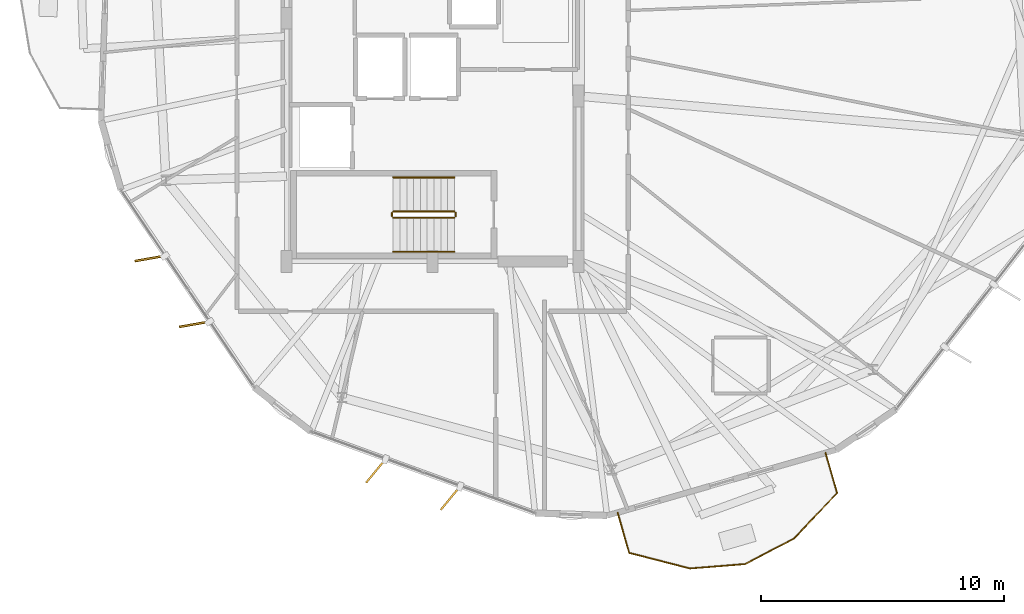
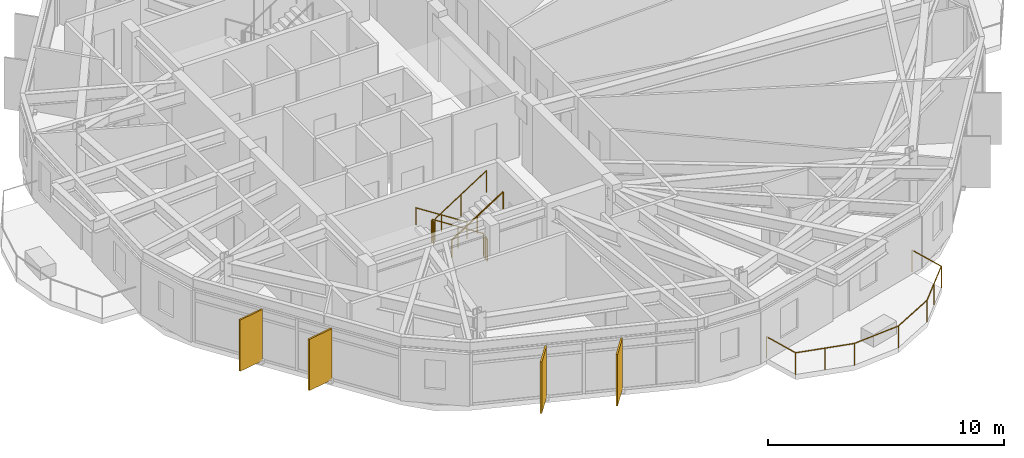
# One storey, part 28 of 30: 7 railings, 4 shading devices.
"""IFC4 building model written with IfcOpenShell, lengths in metres."""

from ifc_helpers import new_model, si_unit, direction, frame, origin, origin_2d, place, context, subcontext, project, spatial, rectangle, circle, extrude, material, layer, layer_set, type_object, element, save


model = new_model("IFC4")

# Units and contexts
model_context = context("Model", 3, precision=1e-05, world=origin(), true_north=direction((0.0, 1.0)))
body_context = subcontext(model_context, "Body", "Model", "MODEL_VIEW")
ifc_project = project(units=[si_unit("LENGTHUNIT", "METRE"), si_unit("AREAUNIT", "SQUARE_METRE"), si_unit("VOLUMEUNIT", "CUBIC_METRE"), si_unit("PLANEANGLEUNIT", "RADIAN"), si_unit("MASSUNIT", "GRAM", prefix="KILO")], contexts=[model_context])

# Site, building, storey
site_placement = place(None, origin())
site = spatial("IfcSite", under=ifc_project, at=site_placement, CompositionType="ELEMENT")
building_placement = place(site_placement, origin())
building = spatial("IfcBuilding", under=site, at=building_placement, Name="Soratama Intermodal Tower", CompositionType="ELEMENT")
storey_placement = place(building_placement, frame((0.0, 0.0, 223.0)))
storey = spatial("IfcBuildingStorey", under=building, at=storey_placement, Name="L56", CompositionType="ELEMENT", Elevation=223.0)

# Railings
ifc_material_1 = material(Name="Laminated glass and stainless steel balustrade", Category="steel")
railing_type_1 = type_object("IfcRailingType", Name="RL-BAL-1150", PredefinedType="BALUSTRADE", material=ifc_material_1)
railing_1_placement = place(storey_placement, frame((54.76171875, 7.12255859375, 0.0)))
element("IfcRailing", 1, at=railing_1_placement, inside=storey, type_object=railing_type_1, Name="L56 Balcony Balustrade 3", PredefinedType="BALUSTRADE", context=body_context, shape_type="SweptSolid", body=[
    extrude(circle(Radius=0.02392578125, at=origin_2d()), frame((0.0, 0.0, 1.1259765625), z_axis=(0.275827158192, -0.961207250703, 0.0), x_axis=(0.961207250703, 0.275827158192, 0.0)), (0.0, 0.0, 1.0), 1.7197265625),
    extrude(circle(Radius=0.02392578125, at=origin_2d()), frame((0.474365234375, -1.653076171875, 1.1259765625), z_axis=(-0.687894128267, -0.725811041729, 0.0), x_axis=(0.725811041729, -0.687894128267, 0.0)), (0.0, 0.0, 1.0), 2.58203125),
    extrude(circle(Radius=0.02392578125, at=origin_2d()), frame((-1.3017578125, -3.527099609375, 1.1259765625), z_axis=(-0.887568833078, -0.460675120393, 0.0), x_axis=(0.460675120393, -0.887568833078, 0.0)), (0.0, 0.0, 1.0), 2.269287109375),
    extrude(circle(Radius=0.02392578125, at=origin_2d()), frame((-3.31591796875, -4.572509765625, 1.1259765625), z_axis=(-0.996774096585, -0.080258335246, 0.0), x_axis=(0.080258335246, -0.996774096585, 0.0)), (0.0, 0.0, 1.0), 2.269287109375),
    extrude(circle(Radius=0.02392578125, at=origin_2d()), frame((-5.577880859375, -4.754638671875, 1.1259765625), z_axis=(-0.968193134069, 0.250204027029, 0.0), x_axis=(-0.250204027029, -0.968193134069, 0.0)), (0.0, 0.0, 1.0), 2.581787109375),
    extrude(circle(Radius=0.02392578125, at=origin_2d()), frame((-8.07763671875, -4.108642578125, 1.1259765625), z_axis=(-0.275958309549, 0.961169605944, 0.0), x_axis=(-0.961169605944, -0.275958309549, 0.0)), (0.0, 0.0, 1.0), 1.719970703125),
    extrude(circle(Radius=0.02099609375, at=origin_2d()), origin(), (0.0, 0.0, 1.0), 1.101806640625),
    extrude(circle(Radius=0.02099609375, at=origin_2d()), frame((0.474365234375, -1.653076171875, 0.0)), (0.0, 0.0, 1.0), 1.101806640625),
    extrude(circle(Radius=0.02099609375, at=origin_2d()), frame((-0.41357421875, -2.590087890625, 0.0)), (0.0, 0.0, 1.0), 1.101806640625),
    extrude(circle(Radius=0.02099609375, at=origin_2d()), frame((-1.3017578125, -3.527099609375, 0.0)), (0.0, 0.0, 1.0), 1.101806640625),
    extrude(circle(Radius=0.02099609375, at=origin_2d()), frame((-3.31591796875, -4.572509765625, 0.0)), (0.0, 0.0, 1.0), 1.101806640625),
    extrude(circle(Radius=0.02099609375, at=origin_2d()), frame((-5.577880859375, -4.754638671875, 0.0)), (0.0, 0.0, 1.0), 1.101806640625),
    extrude(circle(Radius=0.02099609375, at=origin_2d()), frame((-6.82763671875, -4.431640625, 0.0)), (0.0, 0.0, 1.0), 1.101806640625),
    extrude(circle(Radius=0.02099609375, at=origin_2d()), frame((-8.07763671875, -4.108642578125, 0.0)), (0.0, 0.0, 1.0), 1.101806640625),
    extrude(circle(Radius=0.02099609375, at=origin_2d()), frame((-8.55224609375, -2.45556640625, 0.0)), (0.0, 0.0, 1.0), 1.101806640625),
])
ifc_material_2 = material(Name="Painted steel stair guardrail", Category="steel")
railing_type_2 = type_object("IfcRailingType", Name="RL-STAIR-GUARD", PredefinedType="GUARDRAIL", material=ifc_material_2)
railing_2_placement = place(storey_placement, frame((39.5, 17.050048828125, 0.179931640625)))
element("IfcRailing", 2, at=railing_2_placement, inside=storey, type_object=railing_type_2, Name="L56 ST-1 stair guard 1", PredefinedType="GUARDRAIL", context=body_context, shape_type="SweptSolid", body=[
    extrude(circle(Radius=0.02392578125, at=origin_2d()), frame((0.0, 0.0, 1.1259765625), z_axis=(-0.841162588446, 0.0, 0.540782303519), x_axis=(0.0, -1.0, 0.0)), (0.0, 0.0, 1.0), 2.995849609375),
    extrude(circle(Radius=0.02099609375, at=origin_2d()), origin(), (0.0, 0.0, 1.0), 1.101806640625),
    extrude(circle(Radius=0.02099609375, at=origin_2d()), frame((-1.260009765625, 0.0, 0.81005859375)), (0.0, 0.0, 1.0), 1.101806640625),
    extrude(circle(Radius=0.02099609375, at=origin_2d()), frame((-2.52001953125, 0.0, 1.6201171875)), (0.0, 0.0, 1.0), 1.101806640625),
])
railing_3_placement = place(storey_placement, frame((36.929931640625, 17.0, 1.800048828125)))
element("IfcRailing", 3, at=railing_3_placement, inside=storey, type_object=railing_type_2, Name="L56 ST-1 stair guard 2", PredefinedType="GUARDRAIL", context=body_context, shape_type="SweptSolid", body=[
    extrude(circle(Radius=0.02392578125, at=origin_2d()), frame((0.0, 0.0, 1.1259765625), z_axis=(0.0, -1.0, 0.0), x_axis=(1.0, 0.0, 0.0)), (0.0, 0.0, 1.0), 0.14990234375),
    extrude(circle(Radius=0.02099609375, at=origin_2d()), origin(), (0.0, 0.0, 1.0), 1.101806640625),
    extrude(circle(Radius=0.02099609375, at=origin_2d()), frame((0.0, -0.14990234375, 0.0)), (0.0, 0.0, 1.0), 1.101806640625),
])
railing_4_placement = place(storey_placement, frame((36.97998046875, 16.800048828125, 1.97998046875)))
element("IfcRailing", 4, at=railing_4_placement, inside=storey, type_object=railing_type_2, Name="L56 ST-1 stair guard 3", PredefinedType="GUARDRAIL", context=body_context, shape_type="SweptSolid", body=[
    extrude(circle(Radius=0.02392578125, at=origin_2d()), frame((0.0, 0.0, 1.1259765625), z_axis=(0.841162588446, 0.0, 0.540782303519), x_axis=(0.0, 1.0, 0.0)), (0.0, 0.0, 1.0), 2.995849609375),
    extrude(circle(Radius=0.02099609375, at=origin_2d()), origin(), (0.0, 0.0, 1.0), 1.101806640625),
    extrude(circle(Radius=0.02099609375, at=origin_2d()), frame((1.260009765625, 0.0, 0.81005859375)), (0.0, 0.0, 1.0), 1.101806640625),
    extrude(circle(Radius=0.02099609375, at=origin_2d()), frame((2.52001953125, 0.0, 1.6201171875)), (0.0, 0.0, 1.0), 1.101806640625),
])
railing_5_placement = place(storey_placement, frame((39.550048828125, 17.0, 0.0)))
element("IfcRailing", 5, at=railing_5_placement, inside=storey, type_object=railing_type_2, Name="L56 ST-1 stair guard 4", PredefinedType="GUARDRAIL", context=body_context, shape_type="SweptSolid", body=[
    extrude(circle(Radius=0.02392578125, at=origin_2d()), frame((0.0, 0.0, 1.1259765625), z_axis=(0.0, -1.0, 0.0), x_axis=(1.0, 0.0, 0.0)), (0.0, 0.0, 1.0), 0.14990234375),
    extrude(circle(Radius=0.02099609375, at=origin_2d()), origin(), (0.0, 0.0, 1.0), 1.101806640625),
    extrude(circle(Radius=0.02099609375, at=origin_2d()), frame((0.0, -0.14990234375, 0.0)), (0.0, 0.0, 1.0), 1.101806640625),
])
ifc_material_3 = material(Name="Brushed stainless steel handrail", Category="steel")
railing_type_3 = type_object("IfcRailingType", Name="RL-STAIR-HAND", PredefinedType="HANDRAIL", material=ifc_material_3)
railing_6_placement = place(storey_placement, frame((39.5, 18.449951171875, 0.179931640625)))
element("IfcRailing", 6, at=railing_6_placement, inside=storey, type_object=railing_type_3, Name="L56 ST-1 stair handrail 1", PredefinedType="HANDRAIL", context=body_context, shape_type="SweptSolid", body=[
    extrude(circle(Radius=0.02392578125, at=origin_2d()), frame((0.0, 0.0, 0.8759765625), z_axis=(-0.841162588446, 0.0, 0.540782303519), x_axis=(0.0, -1.0, 0.0)), (0.0, 0.0, 1.0), 2.995849609375),
    extrude(circle(Radius=0.02099609375, at=origin_2d()), origin(), (0.0, 0.0, 1.0), 0.851806640625),
    extrude(circle(Radius=0.02099609375, at=origin_2d()), frame((-1.260009765625, 0.0, 0.81005859375)), (0.0, 0.0, 1.0), 0.851806640625),
    extrude(circle(Radius=0.02099609375, at=origin_2d()), frame((-2.52001953125, 0.0, 1.6201171875)), (0.0, 0.0, 1.0), 0.851806640625),
])
railing_7_placement = place(storey_placement, frame((36.97998046875, 15.39990234375, 1.97998046875)))
element("IfcRailing", 7, at=railing_7_placement, inside=storey, type_object=railing_type_3, Name="L56 ST-1 stair handrail 2", PredefinedType="HANDRAIL", context=body_context, shape_type="SweptSolid", body=[
    extrude(circle(Radius=0.02392578125, at=origin_2d()), frame((0.0, 0.0, 0.8759765625), z_axis=(0.841162588446, 0.0, 0.540782303519), x_axis=(0.0, 1.0, 0.0)), (0.0, 0.0, 1.0), 2.995849609375),
    extrude(circle(Radius=0.02099609375, at=origin_2d()), origin(), (0.0, 0.0, 1.0), 0.851806640625),
    extrude(circle(Radius=0.02099609375, at=origin_2d()), frame((1.260009765625, 0.0, 0.81005859375)), (0.0, 0.0, 1.0), 0.851806640625),
    extrude(circle(Radius=0.02099609375, at=origin_2d()), frame((2.52001953125, 0.0, 1.6201171875)), (0.0, 0.0, 1.0), 0.851806640625),
])

# Shading devices
ifc_material_4 = material(Name="Champagne anodised aluminium solar fin", Category="aluminium")
ifc_layer = layer(ifc_material_4, 0.080078125)
ifc_layer_set = layer_set([ifc_layer], Name="Champagne anodised aluminium solar fin")
shading_device_type = type_object("IfcShadingDeviceType", Name="SH-FIN-1250", PredefinedType="USERDEFINED", material=ifc_layer_set)
for number, where, z_axis, x_axis, name in (
    (8, (26.976318359375, 15.120361328125, 0.02001953125), (0.0, 0.0, 1.0), (-0.984747078367, -0.173991929836, 0.0), "L56 Solar Fin F05-1"),
    (9, (28.803466796875, 12.41357421875, 0.02001953125), (0.0, 0.0, 1.0), (-0.984747078367, -0.173991929836, 0.0), "L56 Solar Fin F05-2"),
    (10, (36.26416015625, 6.37890625, 0.02001953125), (0.0, 0.0, 1.0), (-0.634730513202, -0.772733573497, 0.0), "L56 Solar Fin F06-1"),
    (11, (39.33349609375, 5.262939453125, 0.02001953125), (0.0, 0.0, 1.0), (-0.634730513202, -0.772733573497, 0.0), "L56 Solar Fin F06-2"),
):
    element("IfcShadingDevice", number, at=place(storey_placement, frame(where, z_axis=z_axis, x_axis=x_axis)), inside=storey, type_object=shading_device_type, Name=name, ObjectType="FIN", PredefinedType="USERDEFINED", context=body_context, shape_type="SweptSolid", body=[
        extrude(rectangle(XDim=1.25, YDim=0.080078125, at=origin_2d()), origin(), (0.0, 0.0, 1.0), 2.658935546875),
    ])

save(model, "model.ifc")
